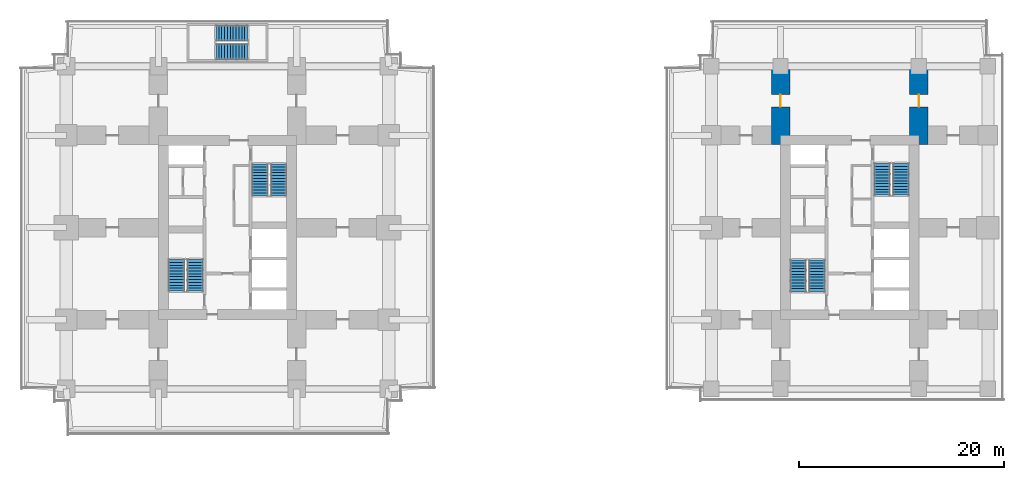
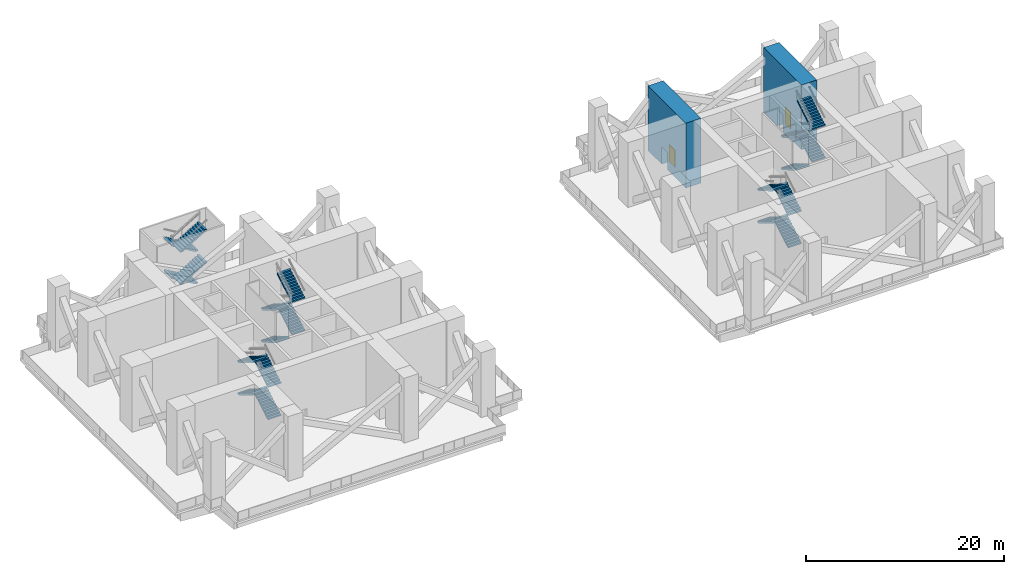
# One storey, part 6 of 11: 20 stair flights, 2 doors, 2 walls, 2 openings, 5 elements without a shape of their own.
"""IFC4 building model written with IfcOpenShell, lengths in metres."""

import ifcopenshell
import ifcopenshell.guid

model = None  # the IFC model being written
_history = None  # IfcOwnerHistory: only IFC2X3 demands one
_inside = {}  # id of a spatial element -> (the spatial element, [elements in it])
_under = {}  # id of a project, library or spatial element -> (it, [spatial elements below it])
_declared = {}  # id of a project -> (the project, [libraries it declares])
_typed = {}  # id of a type object -> (the type object, [elements of that type])
_made_of = {}  # id of a material, layer set ... -> (it, [elements and type objects made of it])


def new_model(schema):
    """Start an empty IFC model of exactly this schema.

    Asked for "IFC4X3", IfcOpenShell would pick the latest addendum, in which some entities
    have other attributes; the version numbers below select the first issue.
    IFC2X3 requires an IfcOwnerHistory on every rooted entity: one is made here for all.
    """
    global model, _history
    if schema == "IFC4X3":
        model = ifcopenshell.file(schema_version=(4, 3, 0, 0))
    else:
        model = ifcopenshell.file(schema=schema)
    _inside.clear()
    _under.clear()
    _declared.clear()
    _typed.clear()
    _made_of.clear()
    _history = None
    if model.schema == "IFC2X3":
        org = make("IfcOrganization", Name="unknown")
        user = make(
            "IfcPersonAndOrganization",
            ThePerson=make("IfcPerson", FamilyName="unknown"),
            TheOrganization=org,
        )
        app = make(
            "IfcApplication",
            ApplicationDeveloper=org,
            Version="unknown",
            ApplicationFullName="unknown",
            ApplicationIdentifier="unknown",
        )
        _history = make(
            "IfcOwnerHistory",
            OwningUser=user,
            OwningApplication=app,
            ChangeAction="ADDED",
            CreationDate=0,
        )
    return model


def make(cls, **values):
    """One entity of the class cls with the attributes given. An attribute that is None is left unset."""
    return model.create_entity(
        cls, **{name: value for name, value in values.items() if value is not None}
    )


def rooted(cls, **values):
    """An entity with a GlobalId (a new one), such as an element, a storey or a relation."""
    return make(cls, GlobalId=ifcopenshell.guid.new(), OwnerHistory=_history, **values)


def si_unit(unit_type, name, prefix=None):
    """IfcSIUnit, for example si_unit("LENGTHUNIT", "METRE", prefix="MILLI")."""
    return make("IfcSIUnit", UnitType=unit_type, Prefix=prefix, Name=name)


def assignment(units):
    """IfcUnitAssignment: the units of a project."""
    return None if units is None else make("IfcUnitAssignment", Units=units)


def point(xyz):
    """IfcCartesianPoint."""
    return None if xyz is None else make("IfcCartesianPoint", Coordinates=xyz)


def direction(xyz):
    """IfcDirection."""
    return None if xyz is None else make("IfcDirection", DirectionRatios=xyz)


def frame(location, z_axis=None, x_axis=None):
    """IfcAxis2Placement3D, a coordinate frame: its origin and axes. An axis left out is left unset."""
    return make(
        "IfcAxis2Placement3D",
        Location=point(location),
        Axis=direction(z_axis),
        RefDirection=direction(x_axis),
    )


def frame_2d(location, x_axis=None):
    """IfcAxis2Placement2D, a coordinate frame in the plane: its origin and x axis."""
    return make(
        "IfcAxis2Placement2D", Location=point(location), RefDirection=direction(x_axis)
    )


def origin():
    """The frame at (0, 0, 0) with its axes left unset."""
    return frame((0.0, 0.0, 0.0))


def place(relative_to, where):
    """IfcLocalPlacement: puts the frame where relative to a parent placement (None: the world)."""
    return make(
        "IfcLocalPlacement", PlacementRelTo=relative_to, RelativePlacement=where
    )


def context(
    kind, dimensions, precision=None, world=None, true_north=None, identifier=None
):
    """IfcGeometricRepresentationContext, for example the 3D "Model" context."""
    return make(
        "IfcGeometricRepresentationContext",
        ContextIdentifier=identifier,
        ContextType=kind,
        CoordinateSpaceDimension=dimensions,
        Precision=precision,
        WorldCoordinateSystem=world,
        TrueNorth=true_north,
    )


def subcontext(parent, identifier, kind, view, scale=None):
    """IfcGeometricRepresentationSubContext, for example "Body" below "Model"."""
    return make(
        "IfcGeometricRepresentationSubContext",
        ContextIdentifier=identifier,
        ContextType=kind,
        ParentContext=parent,
        TargetScale=scale,
        TargetView=view,
    )


def project(units=None, contexts=None):
    """IfcProject with its units and contexts."""
    return rooted(
        "IfcProject",
        Name="project",
        RepresentationContexts=contexts,
        UnitsInContext=assignment(units),
    )


def spatial(cls, under=None, at=None, **own):
    """A site, building, storey or space (cls), placed at a placement, below another one or the project."""
    s = rooted(cls, ObjectPlacement=at, **own)
    if under is not None:
        _under.setdefault(under.id(), (under, []))[1].append(s)
    return s


def polyline(points):
    """IfcPolyline through the points."""
    return make("IfcPolyline", Points=[point(p) for p in points])


def profile(cls, at=None, kind="AREA", **sizes):
    """A parametric profile (cls). Its sizes go by their IFC names, for example OverallWidth=200.0."""
    return make(cls, ProfileType=kind, Position=at, **sizes)


def rectangle(**sizes):
    """IfcRectangleProfileDef."""
    return profile("IfcRectangleProfileDef", **sizes)


def outline(outer, holes=None, kind="AREA"):
    """IfcArbitraryClosedProfileDef: a profile drawn as a closed curve; with holes, ...WithVoids."""
    if holes is None:
        return make("IfcArbitraryClosedProfileDef", ProfileType=kind, OuterCurve=outer)
    return make(
        "IfcArbitraryProfileDefWithVoids",
        ProfileType=kind,
        OuterCurve=outer,
        InnerCurves=holes,
    )


def extrude(swept, where, along, depth):
    """IfcExtrudedAreaSolid: the profile swept, set in the frame where, extruded along a direction by depth."""
    return make(
        "IfcExtrudedAreaSolid",
        SweptArea=swept,
        Position=where,
        ExtrudedDirection=direction(along),
        Depth=depth,
    )


def shape(context_of_items, identifier, shape_type, items):
    """IfcShapeRepresentation: the items that make up one representation, for example the "Body"."""
    return make(
        "IfcShapeRepresentation",
        ContextOfItems=context_of_items,
        RepresentationIdentifier=identifier,
        RepresentationType=shape_type,
        Items=items,
    )


def material(Name=None, Category=None):
    """IfcMaterial."""
    return make("IfcMaterial", Name=Name, Category=Category)


def layer(
    of_material, thickness, ventilated=None, Name=None, Category=None, Priority=None
):
    """IfcMaterialLayer: one layer of a wall or slab, of a material (None: an air gap)."""
    return make(
        "IfcMaterialLayer",
        Material=of_material,
        LayerThickness=thickness,
        IsVentilated=ventilated,
        Name=Name,
        Category=Category,
        Priority=Priority,
    )


def layer_set(layers, Name=None):
    """IfcMaterialLayerSet."""
    return make("IfcMaterialLayerSet", MaterialLayers=layers, LayerSetName=Name)


def made_of(thing, what):
    """Note that an element or type object is made of a material, layer set ...; save() writes the relation."""
    if what is not None:
        _made_of.setdefault(what.id(), (what, []))[1].append(thing)
    return thing


def type_object(cls, material=None, **own):
    """A type object (cls), such as IfcWallType, which elements share."""
    return made_of(rooted(cls, **own), material)


def element(
    cls,
    number,
    at=None,
    inside=None,
    cuts=None,
    type_object=None,
    material=None,
    context=None,
    identifier="Body",
    shape_type=None,
    held_by="IfcProductDefinitionShape",
    body=None,
    shapes=None,
    **own,
):
    """One element of the class cls, such as IfcWall. Its Tag is "e" and its number.

    at: its placement. inside: the storey or other place that contains it. cuts: it is an
    opening in that element (IfcRelVoidsElement). A single representation is given by context,
    identifier, shape_type and body (its items); several are given by shapes. held_by: the class
    of the entity that holds the representations. save() writes the other relations.
    """
    e = rooted(cls, Tag="e%d" % number, ObjectPlacement=at, **own)
    if body is not None:
        shapes = [shape(context, identifier, shape_type, body)]
    if shapes is not None:
        e.Representation = make(held_by, Representations=shapes)
    if inside is not None:
        _inside.setdefault(inside.id(), (inside, []))[1].append(e)
    if cuts is not None:
        rooted(
            "IfcRelVoidsElement", RelatingBuildingElement=cuts, RelatedOpeningElement=e
        )
    if type_object is not None:
        _typed.setdefault(type_object.id(), (type_object, []))[1].append(e)
    return made_of(e, material)


def fill(opening, filler):
    """IfcRelFillsElement: the door or window that sits in an opening."""
    return rooted(
        "IfcRelFillsElement",
        RelatingOpeningElement=opening,
        RelatedBuildingElement=filler,
    )


def aggregate(whole, parts):
    """IfcRelAggregates: a whole, such as a stair, and the parts it consists of."""
    return rooted("IfcRelAggregates", RelatingObject=whole, RelatedObjects=parts)


def save(model, path):
    """Write the relations noted so far, then the file.

    IfcRelAggregates (storeys below a building ...), IfcRelContainedInSpatialStructure (elements
    in a storey), IfcRelDefinesByType, IfcRelAssociatesMaterial and IfcRelDeclares: one each for
    every whole, place, type object, material and project.
    """
    for whole, parts in _under.values():
        aggregate(whole, parts)
    for where, things in _inside.values():
        rooted(
            "IfcRelContainedInSpatialStructure",
            RelatedElements=things,
            RelatingStructure=where,
        )
    for kind, things in _typed.values():
        rooted("IfcRelDefinesByType", RelatedObjects=things, RelatingType=kind)
    for what, things in _made_of.values():
        rooted("IfcRelAssociatesMaterial", RelatedObjects=things, RelatingMaterial=what)
    for by, libraries in _declared.values():
        rooted("IfcRelDeclares", RelatingContext=by, RelatedDefinitions=libraries)
    model.write(path)


model = new_model("IFC4")

# Units and contexts
model_context = context("Model", 3, precision=1e-05, world=origin(), true_north=direction((0.0, 1.0)))
body_context = subcontext(model_context, "Body", "Model", "MODEL_VIEW")
ifc_project = project(units=[si_unit("LENGTHUNIT", "METRE"), si_unit("AREAUNIT", "SQUARE_METRE"), si_unit("VOLUMEUNIT", "CUBIC_METRE"), si_unit("PLANEANGLEUNIT", "RADIAN"), si_unit("MASSUNIT", "GRAM", prefix="KILO")], contexts=[model_context])

# Site, building, storey
site_placement = place(None, origin())
site = spatial("IfcSite", under=ifc_project, at=site_placement, CompositionType="ELEMENT")
building_placement = place(site_placement, origin())
building = spatial("IfcBuilding", under=site, at=building_placement, Name="Namib Vertical Campus", CompositionType="ELEMENT")
storey_placement = place(building_placement, frame((0.0, 0.0, 169.0)))
storey = spatial("IfcBuildingStorey", under=building, at=storey_placement, Name="L40", CompositionType="ELEMENT", Elevation=169.0)

# Wall, opening, door
ifc_material_1 = material(Name="Concrete C60/75", Category="concrete")
ifc_layer = layer(ifc_material_1, 1.800048828125)
ifc_layer_set = layer_set([ifc_layer], Name="Concrete C60/75")
wall_type = type_object("IfcWallType", Name="Outrigger wall 1800", PredefinedType="SHEAR", material=ifc_layer_set)
wall_1_placement = place(storey_placement, frame((74.25, 28.35009765625, 0.0), z_axis=(0.0, 0.0, 1.0), x_axis=(0.0, 1.0, 0.0)))
wall_1 = element("IfcWall", 1, at=wall_1_placement, inside=storey, type_object=wall_type, Name="Outrigger wall B L40 OR3", PredefinedType="SHEAR", context=body_context, shape_type="SweptSolid", body=[
    extrude(rectangle(XDim=7.64990234375, YDim=1.800048828125, at=frame_2d((3.824951171875, 0.0))), origin(), (0.0, 0.0, 1.0), 8.0),
])
opening_1_placement = place(wall_1_placement, frame((3.675048828125, 0.0, 0.0)))
opening_1 = element("IfcOpeningElement", 2, at=opening_1_placement, cuts=wall_1, Name="Opening RD1", PredefinedType="OPENING", context=body_context, shape_type="SweptSolid", body=[
    extrude(rectangle(XDim=1.199951171875, YDim=2.10009765625, at=frame_2d((0.60009765625, 1.050048828125))), frame((0.0, 0.909912109375, 0.0), z_axis=(0.0, -1.0, 0.0), x_axis=(1.0, 0.0, 0.0)), (0.0, 0.0, 1.0), 1.820068359375),
])
ifc_material_2 = material(Name="Steel fire door", Category="steel")
door_type = type_object("IfcDoorType", Name="Refuge door 1200x2100", OperationType="DOUBLE_DOOR_DOUBLE_SWING", PredefinedType="DOOR", material=ifc_material_2)
door_1_placement = place(opening_1_placement, origin())
door_1 = element("IfcDoor", 3, at=door_1_placement, inside=storey, type_object=door_type, Name="Refuge door RD1 B L40 OR3", OperationType="DOUBLE_DOOR_DOUBLE_SWING", OverallHeight=2.10009765625, OverallWidth=1.199951171875, PredefinedType="DOOR", context=body_context, shape_type="SweptSolid", body=[
    extrude(rectangle(XDim=1.199951171875, YDim=2.10009765625, at=frame_2d((0.60009765625, 1.050048828125))), frame((0.0, 0.02490234375, 0.0), z_axis=(0.0, -1.0, 0.0), x_axis=(1.0, 0.0, 0.0)), (0.0, 0.0, 1.0), 0.050048828125),
])
fill(opening_1, door_1)

wall_2_placement = place(storey_placement, frame((87.75, 28.35009765625, 0.0), z_axis=(0.0, 0.0, 1.0), x_axis=(0.0, 1.0, 0.0)))
wall_2 = element("IfcWall", 4, at=wall_2_placement, inside=storey, type_object=wall_type, Name="Outrigger wall B L40 OR4", PredefinedType="SHEAR", context=body_context, shape_type="SweptSolid", body=[
    extrude(rectangle(XDim=7.64990234375, YDim=1.800048828125, at=frame_2d((3.824951171875, 0.0))), origin(), (0.0, 0.0, 1.0), 8.0),
])
opening_2_placement = place(wall_2_placement, frame((3.675048828125, 0.0, 0.0)))
opening_2 = element("IfcOpeningElement", 5, at=opening_2_placement, cuts=wall_2, Name="Opening RD1", PredefinedType="OPENING", context=body_context, shape_type="SweptSolid", body=[
    extrude(rectangle(XDim=1.199951171875, YDim=2.10009765625, at=frame_2d((0.60009765625, 1.050048828125))), frame((0.0, 0.909912109375, 0.0), z_axis=(0.0, -1.0, 0.0), x_axis=(1.0, 0.0, 0.0)), (0.0, 0.0, 1.0), 1.820068359375),
])
door_2_placement = place(opening_2_placement, origin())
door_2 = element("IfcDoor", 6, at=door_2_placement, inside=storey, type_object=door_type, Name="Refuge door RD1 B L40 OR4", OperationType="DOUBLE_DOOR_DOUBLE_SWING", OverallHeight=2.10009765625, OverallWidth=1.199951171875, PredefinedType="DOOR", context=body_context, shape_type="SweptSolid", body=[
    extrude(rectangle(XDim=1.199951171875, YDim=2.10009765625, at=frame_2d((0.60009765625, 1.050048828125))), frame((0.0, 0.02490234375, 0.0), z_axis=(0.0, -1.0, 0.0), x_axis=(1.0, 0.0, 0.0)), (0.0, 0.0, 1.0), 0.050048828125),
])
fill(opening_2, door_2)

# Stair, stair flights
ifc_material_3 = material(Name="Concrete C40/50 precast", Category="concrete")
stair_type_1 = type_object("IfcStairType", Name="Exit stair 8000 rise 48 risers 3350 wide", PredefinedType="HALF_TURN_STAIR", material=ifc_material_3)
stair_1_placement = place(storey_placement, origin())
stair_1 = element("IfcStair", 7, at=stair_1_placement, inside=storey, type_object=stair_type_1, Name="Exit stair A-S1 L40", PredefinedType="HALF_TURN_STAIR")
ifc_material_4 = material(Name="Concrete C40/50 precast", Category="concrete")
stair_flight_type_1 = type_object("IfcStairFlightType", Name="Stair flight 12 risers 167 1525 wide", PredefinedType="STRAIGHT", material=ifc_material_4)
stair_flight_1_placement = place(storey_placement, frame((17.08740234375, 14.050048828125, 0.0), z_axis=(0.0, 0.0, 1.0), x_axis=(0.0, 1.0, 0.0)))
stair_flight_1 = element("IfcStairFlight", 8, at=stair_flight_1_placement, type_object=stair_flight_type_1, Name="A-S1 flight 1", NumberOfRisers=12, NumberOfTreads=11, PredefinedType="STRAIGHT", RiserHeight=0.166666667, TreadLength=0.28, context=body_context, shape_type="SweptSolid", body=[
    extrude(outline(polyline([(0.0, 0.0), (0.0, 0.166748046875), (0.280029296875, 0.166748046875), (0.280029296875, 0.333251953125), (0.56005859375, 0.333251953125), (0.56005859375, 0.5), (0.840087890625, 0.5), (0.840087890625, 0.666748046875), (1.1201171875, 0.666748046875), (1.1201171875, 0.833251953125), (1.39990234375, 0.833251953125), (1.39990234375, 1.0), (1.679931640625, 1.0), (1.679931640625, 1.166748046875), (1.9599609375, 1.166748046875), (1.9599609375, 1.333251953125), (2.239990234375, 1.333251953125), (2.239990234375, 1.5), (2.52001953125, 1.5), (2.52001953125, 1.666748046875), (2.800048828125, 1.666748046875), (2.800048828125, 1.833251953125), (3.080078125, 1.833251953125), (3.080078125, 2.0), (3.080078125, 1.658935546875), (0.29296875, 0.0), (0.0, 0.0)])), frame((0.0, 0.762451171875, 0.0), z_axis=(0.0, -1.0, 0.0), x_axis=(1.0, 0.0, 0.0)), (0.0, 0.0, 1.0), 1.52490234375),
])
stair_flight_2_placement = place(storey_placement, frame((15.262451171875, 17.1298828125, 2.0), z_axis=(0.0, 0.0, 1.0), x_axis=(0.0, -1.0, 0.0)))
stair_flight_2 = element("IfcStairFlight", 9, at=stair_flight_2_placement, type_object=stair_flight_type_1, Name="A-S1 flight 2", NumberOfRisers=12, NumberOfTreads=11, PredefinedType="STRAIGHT", RiserHeight=0.166666667, TreadLength=0.28, context=body_context, shape_type="SweptSolid", body=[
    extrude(outline(polyline([(0.0, 0.0), (0.0, 0.166748046875), (0.280029296875, 0.166748046875), (0.280029296875, 0.333251953125), (0.56005859375, 0.333251953125), (0.56005859375, 0.5), (0.840087890625, 0.5), (0.840087890625, 0.666748046875), (1.1201171875, 0.666748046875), (1.1201171875, 0.833251953125), (1.39990234375, 0.833251953125), (1.39990234375, 1.0), (1.679931640625, 1.0), (1.679931640625, 1.166748046875), (1.9599609375, 1.166748046875), (1.9599609375, 1.333251953125), (2.239990234375, 1.333251953125), (2.239990234375, 1.5), (2.52001953125, 1.5), (2.52001953125, 1.666748046875), (2.800048828125, 1.666748046875), (2.800048828125, 1.833251953125), (3.080078125, 1.833251953125), (3.080078125, 2.0), (3.080078125, 1.658935546875), (0.29296875, 0.0), (0.0, 0.0)])), frame((0.0, 0.762451171875, 0.0), z_axis=(0.0, -1.0, 0.0), x_axis=(1.0, 0.0, 0.0)), (0.0, 0.0, 1.0), 1.52490234375),
])
stair_flight_3_placement = place(storey_placement, frame((17.08740234375, 14.050048828125, 4.0), z_axis=(0.0, 0.0, 1.0), x_axis=(0.0, 1.0, 0.0)))
stair_flight_3 = element("IfcStairFlight", 10, at=stair_flight_3_placement, type_object=stair_flight_type_1, Name="A-S1 flight 3", NumberOfRisers=12, NumberOfTreads=11, PredefinedType="STRAIGHT", RiserHeight=0.166666667, TreadLength=0.28, context=body_context, shape_type="SweptSolid", body=[
    extrude(outline(polyline([(0.0, 0.0), (0.0, 0.166748046875), (0.280029296875, 0.166748046875), (0.280029296875, 0.333251953125), (0.56005859375, 0.333251953125), (0.56005859375, 0.5), (0.840087890625, 0.5), (0.840087890625, 0.666748046875), (1.1201171875, 0.666748046875), (1.1201171875, 0.833251953125), (1.39990234375, 0.833251953125), (1.39990234375, 1.0), (1.679931640625, 1.0), (1.679931640625, 1.166748046875), (1.9599609375, 1.166748046875), (1.9599609375, 1.333251953125), (2.239990234375, 1.333251953125), (2.239990234375, 1.5), (2.52001953125, 1.5), (2.52001953125, 1.666748046875), (2.800048828125, 1.666748046875), (2.800048828125, 1.833251953125), (3.080078125, 1.833251953125), (3.080078125, 2.0), (3.080078125, 1.658935546875), (0.29296875, 0.0), (0.0, 0.0)])), frame((0.0, 0.762451171875, 0.0), z_axis=(0.0, -1.0, 0.0), x_axis=(1.0, 0.0, 0.0)), (0.0, 0.0, 1.0), 1.52490234375),
])
stair_flight_4_placement = place(storey_placement, frame((15.262451171875, 17.1298828125, 6.0), z_axis=(0.0, 0.0, 1.0), x_axis=(0.0, -1.0, 0.0)))
stair_flight_4 = element("IfcStairFlight", 11, at=stair_flight_4_placement, type_object=stair_flight_type_1, Name="A-S1 flight 4", NumberOfRisers=12, NumberOfTreads=11, PredefinedType="STRAIGHT", RiserHeight=0.166666667, TreadLength=0.28, context=body_context, shape_type="SweptSolid", body=[
    extrude(outline(polyline([(0.0, 0.0), (0.0, 0.166748046875), (0.280029296875, 0.166748046875), (0.280029296875, 0.333251953125), (0.56005859375, 0.333251953125), (0.56005859375, 0.5), (0.840087890625, 0.5), (0.840087890625, 0.666748046875), (1.1201171875, 0.666748046875), (1.1201171875, 0.833251953125), (1.39990234375, 0.833251953125), (1.39990234375, 1.0), (1.679931640625, 1.0), (1.679931640625, 1.166748046875), (1.9599609375, 1.166748046875), (1.9599609375, 1.333251953125), (2.239990234375, 1.333251953125), (2.239990234375, 1.5), (2.52001953125, 1.5), (2.52001953125, 1.666748046875), (2.800048828125, 1.666748046875), (2.800048828125, 1.833251953125), (3.080078125, 1.833251953125), (3.080078125, 2.0), (3.080078125, 1.658935546875), (0.29296875, 0.0), (0.0, 0.0)])), frame((0.0, 0.762451171875, 0.0), z_axis=(0.0, -1.0, 0.0), x_axis=(1.0, 0.0, 0.0)), (0.0, 0.0, 1.0), 1.52490234375),
])
aggregate(stair_1, [stair_flight_1, stair_flight_2, stair_flight_3, stair_flight_4])

stair_2_placement = place(storey_placement, origin())
stair_2 = element("IfcStair", 12, at=stair_2_placement, inside=storey, type_object=stair_type_1, Name="Exit stair A-S2 L40", PredefinedType="HALF_TURN_STAIR")
stair_flight_5_placement = place(storey_placement, frame((23.41259765625, 26.449951171875, 0.0), z_axis=(0.0, 0.0, 1.0), x_axis=(0.0, -1.0, 0.0)))
stair_flight_5 = element("IfcStairFlight", 13, at=stair_flight_5_placement, type_object=stair_flight_type_1, Name="A-S2 flight 1", NumberOfRisers=12, NumberOfTreads=11, PredefinedType="STRAIGHT", RiserHeight=0.166666667, TreadLength=0.28, context=body_context, shape_type="SweptSolid", body=[
    extrude(outline(polyline([(0.0, 0.0), (0.0, 0.166748046875), (0.280029296875, 0.166748046875), (0.280029296875, 0.333251953125), (0.56005859375, 0.333251953125), (0.56005859375, 0.5), (0.840087890625, 0.5), (0.840087890625, 0.666748046875), (1.1201171875, 0.666748046875), (1.1201171875, 0.833251953125), (1.39990234375, 0.833251953125), (1.39990234375, 1.0), (1.679931640625, 1.0), (1.679931640625, 1.166748046875), (1.9599609375, 1.166748046875), (1.9599609375, 1.333251953125), (2.239990234375, 1.333251953125), (2.239990234375, 1.5), (2.52001953125, 1.5), (2.52001953125, 1.666748046875), (2.800048828125, 1.666748046875), (2.800048828125, 1.833251953125), (3.080078125, 1.833251953125), (3.080078125, 2.0), (3.080078125, 1.658935546875), (0.29296875, 0.0), (0.0, 0.0)])), frame((0.0, 0.762451171875, 0.0), z_axis=(0.0, -1.0, 0.0), x_axis=(1.0, 0.0, 0.0)), (0.0, 0.0, 1.0), 1.52490234375),
])
stair_flight_6_placement = place(storey_placement, frame((25.237548828125, 23.3701171875, 2.0), z_axis=(0.0, 0.0, 1.0), x_axis=(0.0, 1.0, 0.0)))
stair_flight_6 = element("IfcStairFlight", 14, at=stair_flight_6_placement, type_object=stair_flight_type_1, Name="A-S2 flight 2", NumberOfRisers=12, NumberOfTreads=11, PredefinedType="STRAIGHT", RiserHeight=0.166666667, TreadLength=0.28, context=body_context, shape_type="SweptSolid", body=[
    extrude(outline(polyline([(0.0, 0.0), (0.0, 0.166748046875), (0.280029296875, 0.166748046875), (0.280029296875, 0.333251953125), (0.56005859375, 0.333251953125), (0.56005859375, 0.5), (0.840087890625, 0.5), (0.840087890625, 0.666748046875), (1.1201171875, 0.666748046875), (1.1201171875, 0.833251953125), (1.39990234375, 0.833251953125), (1.39990234375, 1.0), (1.679931640625, 1.0), (1.679931640625, 1.166748046875), (1.9599609375, 1.166748046875), (1.9599609375, 1.333251953125), (2.239990234375, 1.333251953125), (2.239990234375, 1.5), (2.52001953125, 1.5), (2.52001953125, 1.666748046875), (2.800048828125, 1.666748046875), (2.800048828125, 1.833251953125), (3.080078125, 1.833251953125), (3.080078125, 2.0), (3.080078125, 1.658935546875), (0.29296875, 0.0), (0.0, 0.0)])), frame((0.0, 0.762451171875, 0.0), z_axis=(0.0, -1.0, 0.0), x_axis=(1.0, 0.0, 0.0)), (0.0, 0.0, 1.0), 1.52490234375),
])
stair_flight_7_placement = place(storey_placement, frame((23.41259765625, 26.449951171875, 4.0), z_axis=(0.0, 0.0, 1.0), x_axis=(0.0, -1.0, 0.0)))
stair_flight_7 = element("IfcStairFlight", 15, at=stair_flight_7_placement, type_object=stair_flight_type_1, Name="A-S2 flight 3", NumberOfRisers=12, NumberOfTreads=11, PredefinedType="STRAIGHT", RiserHeight=0.166666667, TreadLength=0.28, context=body_context, shape_type="SweptSolid", body=[
    extrude(outline(polyline([(0.0, 0.0), (0.0, 0.166748046875), (0.280029296875, 0.166748046875), (0.280029296875, 0.333251953125), (0.56005859375, 0.333251953125), (0.56005859375, 0.5), (0.840087890625, 0.5), (0.840087890625, 0.666748046875), (1.1201171875, 0.666748046875), (1.1201171875, 0.833251953125), (1.39990234375, 0.833251953125), (1.39990234375, 1.0), (1.679931640625, 1.0), (1.679931640625, 1.166748046875), (1.9599609375, 1.166748046875), (1.9599609375, 1.333251953125), (2.239990234375, 1.333251953125), (2.239990234375, 1.5), (2.52001953125, 1.5), (2.52001953125, 1.666748046875), (2.800048828125, 1.666748046875), (2.800048828125, 1.833251953125), (3.080078125, 1.833251953125), (3.080078125, 2.0), (3.080078125, 1.658935546875), (0.29296875, 0.0), (0.0, 0.0)])), frame((0.0, 0.762451171875, 0.0), z_axis=(0.0, -1.0, 0.0), x_axis=(1.0, 0.0, 0.0)), (0.0, 0.0, 1.0), 1.52490234375),
])
stair_flight_8_placement = place(storey_placement, frame((25.237548828125, 23.3701171875, 6.0), z_axis=(0.0, 0.0, 1.0), x_axis=(0.0, 1.0, 0.0)))
stair_flight_8 = element("IfcStairFlight", 16, at=stair_flight_8_placement, type_object=stair_flight_type_1, Name="A-S2 flight 4", NumberOfRisers=12, NumberOfTreads=11, PredefinedType="STRAIGHT", RiserHeight=0.166666667, TreadLength=0.28, context=body_context, shape_type="SweptSolid", body=[
    extrude(outline(polyline([(0.0, 0.0), (0.0, 0.166748046875), (0.280029296875, 0.166748046875), (0.280029296875, 0.333251953125), (0.56005859375, 0.333251953125), (0.56005859375, 0.5), (0.840087890625, 0.5), (0.840087890625, 0.666748046875), (1.1201171875, 0.666748046875), (1.1201171875, 0.833251953125), (1.39990234375, 0.833251953125), (1.39990234375, 1.0), (1.679931640625, 1.0), (1.679931640625, 1.166748046875), (1.9599609375, 1.166748046875), (1.9599609375, 1.333251953125), (2.239990234375, 1.333251953125), (2.239990234375, 1.5), (2.52001953125, 1.5), (2.52001953125, 1.666748046875), (2.800048828125, 1.666748046875), (2.800048828125, 1.833251953125), (3.080078125, 1.833251953125), (3.080078125, 2.0), (3.080078125, 1.658935546875), (0.29296875, 0.0), (0.0, 0.0)])), frame((0.0, 0.762451171875, 0.0), z_axis=(0.0, -1.0, 0.0), x_axis=(1.0, 0.0, 0.0)), (0.0, 0.0, 1.0), 1.52490234375),
])
aggregate(stair_2, [stair_flight_5, stair_flight_6, stair_flight_7, stair_flight_8])

stair_3_placement = place(storey_placement, origin())
stair_3 = element("IfcStair", 17, at=stair_3_placement, inside=storey, type_object=stair_type_1, Name="Exit stair A-S3 L40", PredefinedType="HALF_TURN_STAIR")
stair_flight_9_placement = place(storey_placement, frame((22.199951171875, 39.237548828125, 0.0), z_axis=(0.0, 0.0, 1.0), x_axis=(-1.0, 0.0, 0.0)))
stair_flight_9 = element("IfcStairFlight", 18, at=stair_flight_9_placement, type_object=stair_flight_type_1, Name="A-S3 flight 1", NumberOfRisers=12, NumberOfTreads=11, PredefinedType="STRAIGHT", RiserHeight=0.166666667, TreadLength=0.28, context=body_context, shape_type="SweptSolid", body=[
    extrude(outline(polyline([(0.0, 0.0), (0.0, 0.166748046875), (0.280029296875, 0.166748046875), (0.280029296875, 0.333251953125), (0.56005859375, 0.333251953125), (0.56005859375, 0.5), (0.840087890625, 0.5), (0.840087890625, 0.666748046875), (1.1201171875, 0.666748046875), (1.1201171875, 0.833251953125), (1.39990234375, 0.833251953125), (1.39990234375, 1.0), (1.679931640625, 1.0), (1.679931640625, 1.166748046875), (1.9599609375, 1.166748046875), (1.9599609375, 1.333251953125), (2.239990234375, 1.333251953125), (2.239990234375, 1.5), (2.52001953125, 1.5), (2.52001953125, 1.666748046875), (2.800048828125, 1.666748046875), (2.800048828125, 1.833251953125), (3.080078125, 1.833251953125), (3.080078125, 2.0), (3.080078125, 1.658935546875), (0.29296875, 0.0), (0.0, 0.0)])), frame((0.0, 0.762451171875, 0.0), z_axis=(0.0, -1.0, 0.0), x_axis=(1.0, 0.0, 0.0)), (0.0, 0.0, 1.0), 1.52490234375),
])
stair_flight_10_placement = place(storey_placement, frame((19.1201171875, 37.41259765625, 2.0), z_axis=(0.0, 0.0, 1.0), x_axis=(1.0, 0.0, 0.0)))
stair_flight_10 = element("IfcStairFlight", 19, at=stair_flight_10_placement, type_object=stair_flight_type_1, Name="A-S3 flight 2", NumberOfRisers=12, NumberOfTreads=11, PredefinedType="STRAIGHT", RiserHeight=0.166666667, TreadLength=0.28, context=body_context, shape_type="SweptSolid", body=[
    extrude(outline(polyline([(0.0, 0.0), (0.0, 0.166748046875), (0.280029296875, 0.166748046875), (0.280029296875, 0.333251953125), (0.56005859375, 0.333251953125), (0.56005859375, 0.5), (0.840087890625, 0.5), (0.840087890625, 0.666748046875), (1.1201171875, 0.666748046875), (1.1201171875, 0.833251953125), (1.39990234375, 0.833251953125), (1.39990234375, 1.0), (1.679931640625, 1.0), (1.679931640625, 1.166748046875), (1.9599609375, 1.166748046875), (1.9599609375, 1.333251953125), (2.239990234375, 1.333251953125), (2.239990234375, 1.5), (2.52001953125, 1.5), (2.52001953125, 1.666748046875), (2.800048828125, 1.666748046875), (2.800048828125, 1.833251953125), (3.080078125, 1.833251953125), (3.080078125, 2.0), (3.080078125, 1.658935546875), (0.29296875, 0.0), (0.0, 0.0)])), frame((0.0, 0.762451171875, 0.0), z_axis=(0.0, -1.0, 0.0), x_axis=(1.0, 0.0, 0.0)), (0.0, 0.0, 1.0), 1.52490234375),
])
stair_flight_11_placement = place(storey_placement, frame((22.199951171875, 39.237548828125, 4.0), z_axis=(0.0, 0.0, 1.0), x_axis=(-1.0, 0.0, 0.0)))
stair_flight_11 = element("IfcStairFlight", 20, at=stair_flight_11_placement, type_object=stair_flight_type_1, Name="A-S3 flight 3", NumberOfRisers=12, NumberOfTreads=11, PredefinedType="STRAIGHT", RiserHeight=0.166666667, TreadLength=0.28, context=body_context, shape_type="SweptSolid", body=[
    extrude(outline(polyline([(0.0, 0.0), (0.0, 0.166748046875), (0.280029296875, 0.166748046875), (0.280029296875, 0.333251953125), (0.56005859375, 0.333251953125), (0.56005859375, 0.5), (0.840087890625, 0.5), (0.840087890625, 0.666748046875), (1.1201171875, 0.666748046875), (1.1201171875, 0.833251953125), (1.39990234375, 0.833251953125), (1.39990234375, 1.0), (1.679931640625, 1.0), (1.679931640625, 1.166748046875), (1.9599609375, 1.166748046875), (1.9599609375, 1.333251953125), (2.239990234375, 1.333251953125), (2.239990234375, 1.5), (2.52001953125, 1.5), (2.52001953125, 1.666748046875), (2.800048828125, 1.666748046875), (2.800048828125, 1.833251953125), (3.080078125, 1.833251953125), (3.080078125, 2.0), (3.080078125, 1.658935546875), (0.29296875, 0.0), (0.0, 0.0)])), frame((0.0, 0.762451171875, 0.0), z_axis=(0.0, -1.0, 0.0), x_axis=(1.0, 0.0, 0.0)), (0.0, 0.0, 1.0), 1.52490234375),
])
stair_flight_12_placement = place(storey_placement, frame((19.1201171875, 37.41259765625, 6.0), z_axis=(0.0, 0.0, 1.0), x_axis=(1.0, 0.0, 0.0)))
stair_flight_12 = element("IfcStairFlight", 21, at=stair_flight_12_placement, type_object=stair_flight_type_1, Name="A-S3 flight 4", NumberOfRisers=12, NumberOfTreads=11, PredefinedType="STRAIGHT", RiserHeight=0.166666667, TreadLength=0.28, context=body_context, shape_type="SweptSolid", body=[
    extrude(outline(polyline([(0.0, 0.0), (0.0, 0.166748046875), (0.280029296875, 0.166748046875), (0.280029296875, 0.333251953125), (0.56005859375, 0.333251953125), (0.56005859375, 0.5), (0.840087890625, 0.5), (0.840087890625, 0.666748046875), (1.1201171875, 0.666748046875), (1.1201171875, 0.833251953125), (1.39990234375, 0.833251953125), (1.39990234375, 1.0), (1.679931640625, 1.0), (1.679931640625, 1.166748046875), (1.9599609375, 1.166748046875), (1.9599609375, 1.333251953125), (2.239990234375, 1.333251953125), (2.239990234375, 1.5), (2.52001953125, 1.5), (2.52001953125, 1.666748046875), (2.800048828125, 1.666748046875), (2.800048828125, 1.833251953125), (3.080078125, 1.833251953125), (3.080078125, 2.0), (3.080078125, 1.658935546875), (0.29296875, 0.0), (0.0, 0.0)])), frame((0.0, 0.762451171875, 0.0), z_axis=(0.0, -1.0, 0.0), x_axis=(1.0, 0.0, 0.0)), (0.0, 0.0, 1.0), 1.52490234375),
])
aggregate(stair_3, [stair_flight_9, stair_flight_10, stair_flight_11, stair_flight_12])

ifc_material_5 = material(Name="Concrete C40/50 precast", Category="concrete")
stair_type_2 = type_object("IfcStairType", Name="Exit stair 8000 rise 48 risers 3400 wide", PredefinedType="HALF_TURN_STAIR", material=ifc_material_5)
stair_4_placement = place(storey_placement, origin())
stair_4 = element("IfcStair", 22, at=stair_4_placement, inside=storey, type_object=stair_type_2, Name="Exit stair B-S1 L40", PredefinedType="HALF_TURN_STAIR")
ifc_material_6 = material(Name="Concrete C40/50 precast", Category="concrete")
stair_flight_type_2 = type_object("IfcStairFlightType", Name="Stair flight 12 risers 167 1550 wide", PredefinedType="STRAIGHT", material=ifc_material_6)
stair_flight_13_placement = place(storey_placement, frame((77.824951171875, 14.0, 0.0), z_axis=(0.0, 0.0, 1.0), x_axis=(0.0, 1.0, 0.0)))
stair_flight_13 = element("IfcStairFlight", 23, at=stair_flight_13_placement, type_object=stair_flight_type_2, Name="B-S1 flight 1", NumberOfRisers=12, NumberOfTreads=11, PredefinedType="STRAIGHT", RiserHeight=0.166666667, TreadLength=0.28, context=body_context, shape_type="SweptSolid", body=[
    extrude(outline(polyline([(0.0, 0.0), (0.0, 0.166748046875), (0.280029296875, 0.166748046875), (0.280029296875, 0.333251953125), (0.56005859375, 0.333251953125), (0.56005859375, 0.5), (0.840087890625, 0.5), (0.840087890625, 0.666748046875), (1.1201171875, 0.666748046875), (1.1201171875, 0.833251953125), (1.39990234375, 0.833251953125), (1.39990234375, 1.0), (1.679931640625, 1.0), (1.679931640625, 1.166748046875), (1.9599609375, 1.166748046875), (1.9599609375, 1.333251953125), (2.239990234375, 1.333251953125), (2.239990234375, 1.5), (2.52001953125, 1.5), (2.52001953125, 1.666748046875), (2.800048828125, 1.666748046875), (2.800048828125, 1.833251953125), (3.080078125, 1.833251953125), (3.080078125, 2.0), (3.080078125, 1.658935546875), (0.29296875, 0.0), (0.0, 0.0)])), frame((0.0, 0.77490234375, 0.0), z_axis=(0.0, -1.0, 0.0), x_axis=(1.0, 0.0, 0.0)), (0.0, 0.0, 1.0), 1.550048828125),
])
stair_flight_14_placement = place(storey_placement, frame((75.97509765625, 17.080078125, 2.0), z_axis=(0.0, 0.0, 1.0), x_axis=(0.0, -1.0, 0.0)))
stair_flight_14 = element("IfcStairFlight", 24, at=stair_flight_14_placement, type_object=stair_flight_type_2, Name="B-S1 flight 2", NumberOfRisers=12, NumberOfTreads=11, PredefinedType="STRAIGHT", RiserHeight=0.166666667, TreadLength=0.28, context=body_context, shape_type="SweptSolid", body=[
    extrude(outline(polyline([(0.0, 0.0), (0.0, 0.166748046875), (0.280029296875, 0.166748046875), (0.280029296875, 0.333251953125), (0.56005859375, 0.333251953125), (0.56005859375, 0.5), (0.840087890625, 0.5), (0.840087890625, 0.666748046875), (1.1201171875, 0.666748046875), (1.1201171875, 0.833251953125), (1.39990234375, 0.833251953125), (1.39990234375, 1.0), (1.679931640625, 1.0), (1.679931640625, 1.166748046875), (1.9599609375, 1.166748046875), (1.9599609375, 1.333251953125), (2.239990234375, 1.333251953125), (2.239990234375, 1.5), (2.52001953125, 1.5), (2.52001953125, 1.666748046875), (2.800048828125, 1.666748046875), (2.800048828125, 1.833251953125), (3.080078125, 1.833251953125), (3.080078125, 2.0), (3.080078125, 1.658935546875), (0.29296875, 0.0), (0.0, 0.0)])), frame((0.0, 0.77490234375, 0.0), z_axis=(0.0, -1.0, 0.0), x_axis=(1.0, 0.0, 0.0)), (0.0, 0.0, 1.0), 1.550048828125),
])
stair_flight_15_placement = place(storey_placement, frame((77.824951171875, 14.0, 4.0), z_axis=(0.0, 0.0, 1.0), x_axis=(0.0, 1.0, 0.0)))
stair_flight_15 = element("IfcStairFlight", 25, at=stair_flight_15_placement, type_object=stair_flight_type_2, Name="B-S1 flight 3", NumberOfRisers=12, NumberOfTreads=11, PredefinedType="STRAIGHT", RiserHeight=0.166666667, TreadLength=0.28, context=body_context, shape_type="SweptSolid", body=[
    extrude(outline(polyline([(0.0, 0.0), (0.0, 0.166748046875), (0.280029296875, 0.166748046875), (0.280029296875, 0.333251953125), (0.56005859375, 0.333251953125), (0.56005859375, 0.5), (0.840087890625, 0.5), (0.840087890625, 0.666748046875), (1.1201171875, 0.666748046875), (1.1201171875, 0.833251953125), (1.39990234375, 0.833251953125), (1.39990234375, 1.0), (1.679931640625, 1.0), (1.679931640625, 1.166748046875), (1.9599609375, 1.166748046875), (1.9599609375, 1.333251953125), (2.239990234375, 1.333251953125), (2.239990234375, 1.5), (2.52001953125, 1.5), (2.52001953125, 1.666748046875), (2.800048828125, 1.666748046875), (2.800048828125, 1.833251953125), (3.080078125, 1.833251953125), (3.080078125, 2.0), (3.080078125, 1.658935546875), (0.29296875, 0.0), (0.0, 0.0)])), frame((0.0, 0.77490234375, 0.0), z_axis=(0.0, -1.0, 0.0), x_axis=(1.0, 0.0, 0.0)), (0.0, 0.0, 1.0), 1.550048828125),
])
stair_flight_16_placement = place(storey_placement, frame((75.97509765625, 17.080078125, 6.0), z_axis=(0.0, 0.0, 1.0), x_axis=(0.0, -1.0, 0.0)))
stair_flight_16 = element("IfcStairFlight", 26, at=stair_flight_16_placement, type_object=stair_flight_type_2, Name="B-S1 flight 4", NumberOfRisers=12, NumberOfTreads=11, PredefinedType="STRAIGHT", RiserHeight=0.166666667, TreadLength=0.28, context=body_context, shape_type="SweptSolid", body=[
    extrude(outline(polyline([(0.0, 0.0), (0.0, 0.166748046875), (0.280029296875, 0.166748046875), (0.280029296875, 0.333251953125), (0.56005859375, 0.333251953125), (0.56005859375, 0.5), (0.840087890625, 0.5), (0.840087890625, 0.666748046875), (1.1201171875, 0.666748046875), (1.1201171875, 0.833251953125), (1.39990234375, 0.833251953125), (1.39990234375, 1.0), (1.679931640625, 1.0), (1.679931640625, 1.166748046875), (1.9599609375, 1.166748046875), (1.9599609375, 1.333251953125), (2.239990234375, 1.333251953125), (2.239990234375, 1.5), (2.52001953125, 1.5), (2.52001953125, 1.666748046875), (2.800048828125, 1.666748046875), (2.800048828125, 1.833251953125), (3.080078125, 1.833251953125), (3.080078125, 2.0), (3.080078125, 1.658935546875), (0.29296875, 0.0), (0.0, 0.0)])), frame((0.0, 0.77490234375, 0.0), z_axis=(0.0, -1.0, 0.0), x_axis=(1.0, 0.0, 0.0)), (0.0, 0.0, 1.0), 1.550048828125),
])
aggregate(stair_4, [stair_flight_13, stair_flight_14, stair_flight_15, stair_flight_16])

stair_5_placement = place(storey_placement, origin())
stair_5 = element("IfcStair", 27, at=stair_5_placement, inside=storey, type_object=stair_type_2, Name="Exit stair B-S2 L40", PredefinedType="HALF_TURN_STAIR")
stair_flight_17_placement = place(storey_placement, frame((84.175048828125, 26.5, 0.0), z_axis=(0.0, 0.0, 1.0), x_axis=(0.0, -1.0, 0.0)))
stair_flight_17 = element("IfcStairFlight", 28, at=stair_flight_17_placement, type_object=stair_flight_type_2, Name="B-S2 flight 1", NumberOfRisers=12, NumberOfTreads=11, PredefinedType="STRAIGHT", RiserHeight=0.166666667, TreadLength=0.28, context=body_context, shape_type="SweptSolid", body=[
    extrude(outline(polyline([(0.0, 0.0), (0.0, 0.166748046875), (0.280029296875, 0.166748046875), (0.280029296875, 0.333251953125), (0.56005859375, 0.333251953125), (0.56005859375, 0.5), (0.840087890625, 0.5), (0.840087890625, 0.666748046875), (1.1201171875, 0.666748046875), (1.1201171875, 0.833251953125), (1.39990234375, 0.833251953125), (1.39990234375, 1.0), (1.679931640625, 1.0), (1.679931640625, 1.166748046875), (1.9599609375, 1.166748046875), (1.9599609375, 1.333251953125), (2.239990234375, 1.333251953125), (2.239990234375, 1.5), (2.52001953125, 1.5), (2.52001953125, 1.666748046875), (2.800048828125, 1.666748046875), (2.800048828125, 1.833251953125), (3.080078125, 1.833251953125), (3.080078125, 2.0), (3.080078125, 1.658935546875), (0.29296875, 0.0), (0.0, 0.0)])), frame((0.0, 0.77490234375, 0.0), z_axis=(0.0, -1.0, 0.0), x_axis=(1.0, 0.0, 0.0)), (0.0, 0.0, 1.0), 1.550048828125),
])
stair_flight_18_placement = place(storey_placement, frame((86.02490234375, 23.419921875, 2.0), z_axis=(0.0, 0.0, 1.0), x_axis=(0.0, 1.0, 0.0)))
stair_flight_18 = element("IfcStairFlight", 29, at=stair_flight_18_placement, type_object=stair_flight_type_2, Name="B-S2 flight 2", NumberOfRisers=12, NumberOfTreads=11, PredefinedType="STRAIGHT", RiserHeight=0.166666667, TreadLength=0.28, context=body_context, shape_type="SweptSolid", body=[
    extrude(outline(polyline([(0.0, 0.0), (0.0, 0.166748046875), (0.280029296875, 0.166748046875), (0.280029296875, 0.333251953125), (0.56005859375, 0.333251953125), (0.56005859375, 0.5), (0.840087890625, 0.5), (0.840087890625, 0.666748046875), (1.1201171875, 0.666748046875), (1.1201171875, 0.833251953125), (1.39990234375, 0.833251953125), (1.39990234375, 1.0), (1.679931640625, 1.0), (1.679931640625, 1.166748046875), (1.9599609375, 1.166748046875), (1.9599609375, 1.333251953125), (2.239990234375, 1.333251953125), (2.239990234375, 1.5), (2.52001953125, 1.5), (2.52001953125, 1.666748046875), (2.800048828125, 1.666748046875), (2.800048828125, 1.833251953125), (3.080078125, 1.833251953125), (3.080078125, 2.0), (3.080078125, 1.658935546875), (0.29296875, 0.0), (0.0, 0.0)])), frame((0.0, 0.77490234375, 0.0), z_axis=(0.0, -1.0, 0.0), x_axis=(1.0, 0.0, 0.0)), (0.0, 0.0, 1.0), 1.550048828125),
])
stair_flight_19_placement = place(storey_placement, frame((84.175048828125, 26.5, 4.0), z_axis=(0.0, 0.0, 1.0), x_axis=(0.0, -1.0, 0.0)))
stair_flight_19 = element("IfcStairFlight", 30, at=stair_flight_19_placement, type_object=stair_flight_type_2, Name="B-S2 flight 3", NumberOfRisers=12, NumberOfTreads=11, PredefinedType="STRAIGHT", RiserHeight=0.166666667, TreadLength=0.28, context=body_context, shape_type="SweptSolid", body=[
    extrude(outline(polyline([(0.0, 0.0), (0.0, 0.166748046875), (0.280029296875, 0.166748046875), (0.280029296875, 0.333251953125), (0.56005859375, 0.333251953125), (0.56005859375, 0.5), (0.840087890625, 0.5), (0.840087890625, 0.666748046875), (1.1201171875, 0.666748046875), (1.1201171875, 0.833251953125), (1.39990234375, 0.833251953125), (1.39990234375, 1.0), (1.679931640625, 1.0), (1.679931640625, 1.166748046875), (1.9599609375, 1.166748046875), (1.9599609375, 1.333251953125), (2.239990234375, 1.333251953125), (2.239990234375, 1.5), (2.52001953125, 1.5), (2.52001953125, 1.666748046875), (2.800048828125, 1.666748046875), (2.800048828125, 1.833251953125), (3.080078125, 1.833251953125), (3.080078125, 2.0), (3.080078125, 1.658935546875), (0.29296875, 0.0), (0.0, 0.0)])), frame((0.0, 0.77490234375, 0.0), z_axis=(0.0, -1.0, 0.0), x_axis=(1.0, 0.0, 0.0)), (0.0, 0.0, 1.0), 1.550048828125),
])
stair_flight_20_placement = place(storey_placement, frame((86.02490234375, 23.419921875, 6.0), z_axis=(0.0, 0.0, 1.0), x_axis=(0.0, 1.0, 0.0)))
stair_flight_20 = element("IfcStairFlight", 31, at=stair_flight_20_placement, type_object=stair_flight_type_2, Name="B-S2 flight 4", NumberOfRisers=12, NumberOfTreads=11, PredefinedType="STRAIGHT", RiserHeight=0.166666667, TreadLength=0.28, context=body_context, shape_type="SweptSolid", body=[
    extrude(outline(polyline([(0.0, 0.0), (0.0, 0.166748046875), (0.280029296875, 0.166748046875), (0.280029296875, 0.333251953125), (0.56005859375, 0.333251953125), (0.56005859375, 0.5), (0.840087890625, 0.5), (0.840087890625, 0.666748046875), (1.1201171875, 0.666748046875), (1.1201171875, 0.833251953125), (1.39990234375, 0.833251953125), (1.39990234375, 1.0), (1.679931640625, 1.0), (1.679931640625, 1.166748046875), (1.9599609375, 1.166748046875), (1.9599609375, 1.333251953125), (2.239990234375, 1.333251953125), (2.239990234375, 1.5), (2.52001953125, 1.5), (2.52001953125, 1.666748046875), (2.800048828125, 1.666748046875), (2.800048828125, 1.833251953125), (3.080078125, 1.833251953125), (3.080078125, 2.0), (3.080078125, 1.658935546875), (0.29296875, 0.0), (0.0, 0.0)])), frame((0.0, 0.77490234375, 0.0), z_axis=(0.0, -1.0, 0.0), x_axis=(1.0, 0.0, 0.0)), (0.0, 0.0, 1.0), 1.550048828125),
])
aggregate(stair_5, [stair_flight_17, stair_flight_18, stair_flight_19, stair_flight_20])

save(model, "model.ifc")
